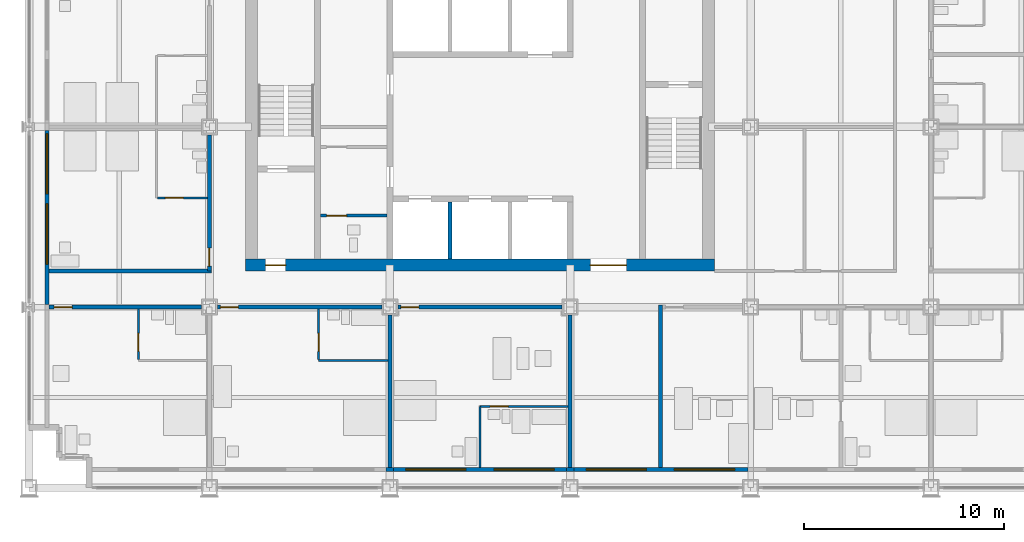
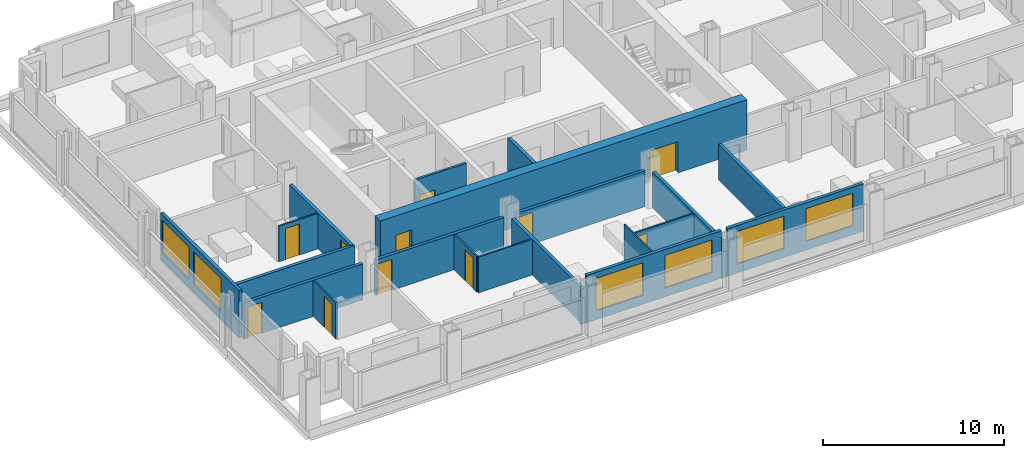
# One storey, part 10 of 18: 22 walls, 11 doors, 6 windows, 17 openings.
"""IFC4 building model written with IfcOpenShell, lengths in metres."""

from ifc_helpers import new_model, si_unit, direction, frame, frame_2d, origin, place, context, subcontext, project, spatial, rectangle, extrude, material, layer, layer_set, type_object, element, fill, save


model = new_model("IFC4")

# Units and contexts
model_context = context("Model", 3, precision=1e-05, world=origin(), true_north=direction((0.0, 1.0)))
body_context = subcontext(model_context, "Body", "Model", "MODEL_VIEW")
ifc_project = project(units=[si_unit("LENGTHUNIT", "METRE"), si_unit("AREAUNIT", "SQUARE_METRE"), si_unit("VOLUMEUNIT", "CUBIC_METRE"), si_unit("PLANEANGLEUNIT", "RADIAN"), si_unit("MASSUNIT", "GRAM", prefix="KILO")], contexts=[model_context])

# Site, building, storey
site_placement = place(None, origin())
site = spatial("IfcSite", under=ifc_project, at=site_placement, CompositionType="ELEMENT")
building_placement = place(site_placement, origin())
building = spatial("IfcBuilding", under=site, at=building_placement, Name="Loomwork Tower", CompositionType="ELEMENT")
storey_placement = place(building_placement, frame((0.0, 0.0, 75.60009765625)))
storey = spatial("IfcBuildingStorey", under=building, at=storey_placement, Name="L19", CompositionType="ELEMENT", Elevation=75.60009765625)

# Wall, openings, doors
ifc_material_1 = material(Name="Concrete 14000 psi (97 MPa)", Category="concrete")
ifc_layer_1 = layer(ifc_material_1, 0.60009765625)
ifc_layer_set_1 = layer_set([ifc_layer_1], Name="Core shear wall 600")
wall_type_1 = type_object("IfcWallType", Name="Core shear wall 600", PredefinedType="SHEAR", material=ifc_layer_set_1)
wall_1_placement = place(storey_placement, frame((10.800048828125, 11.10009765625, 0.0), z_axis=(0.0, 0.0, 1.0), x_axis=(1.0, 0.0, 0.0)))
wall_1 = element("IfcWall", 1, at=wall_1_placement, inside=storey, type_object=wall_type_1, Name="Core wall south L19", PredefinedType="SHEAR", context=body_context, shape_type="SweptSolid", body=[
    extrude(rectangle(XDim=23.39990234375, YDim=0.60009765625, at=frame_2d((11.699951171875, 0.0))), origin(), (0.0, 0.0, 1.0), 3.39990234375),
])
opening_1_placement = place(wall_1_placement, frame((1.0, 0.0, 0.0)))
opening_1 = element("IfcOpeningElement", 2, at=opening_1_placement, cuts=wall_1, Name="Opening D4", PredefinedType="OPENING", context=body_context, shape_type="SweptSolid", body=[
    extrude(rectangle(XDim=1.0, YDim=2.10009765625, at=frame_2d((0.5, 1.050048828125))), frame((0.0, 0.31005859375, 0.0), z_axis=(0.0, -1.0, 0.0), x_axis=(1.0, 0.0, 0.0)), (0.0, 0.0, 1.0), 0.6201171875),
])
opening_2_placement = place(wall_1_placement, frame((17.199951171875, 0.0, 0.0)))
opening_2 = element("IfcOpeningElement", 3, at=opening_2_placement, cuts=wall_1, Name="Opening D6", PredefinedType="OPENING", context=body_context, shape_type="SweptSolid", body=[
    extrude(rectangle(XDim=1.800048828125, YDim=2.10009765625, at=frame_2d((0.89990234375, 1.050048828125))), frame((0.0, 0.31005859375, 0.0), z_axis=(0.0, -1.0, 0.0), x_axis=(1.0, 0.0, 0.0)), (0.0, 0.0, 1.0), 0.6201171875),
])
ifc_material_2 = material(Name="Hollow metal door and frame")
door_type_1 = type_object("IfcDoorType", Name="Lobby passage double door 1800", OperationType="DOUBLE_DOOR_SINGLE_SWING", PredefinedType="DOOR", material=ifc_material_2)
door_1_placement = place(opening_2_placement, origin())
door_1 = element("IfcDoor", 4, at=door_1_placement, inside=storey, type_object=door_type_1, Name="Lobby passage door south", OperationType="DOUBLE_DOOR_SINGLE_SWING", OverallHeight=2.10009765625, OverallWidth=1.800048828125, PredefinedType="DOOR", context=body_context, shape_type="SweptSolid", body=[
    extrude(rectangle(XDim=1.800048828125, YDim=2.10009765625, at=frame_2d((0.89990234375, 1.050048828125))), frame((0.0, 0.02490234375, 0.0), z_axis=(0.0, -1.0, 0.0), x_axis=(1.0, 0.0, 0.0)), (0.0, 0.0, 1.0), 0.050048828125),
])
fill(opening_2, door_1)
ifc_material_3 = material(Name="Hollow metal door and frame")
door_type_2 = type_object("IfcDoorType", Name="Stair door 1000", OperationType="SINGLE_SWING_RIGHT", PredefinedType="DOOR", material=ifc_material_3)
door_2_placement = place(opening_1_placement, origin())
door_2 = element("IfcDoor", 5, at=door_2_placement, inside=storey, type_object=door_type_2, Name="Stair A vestibule door", OperationType="SINGLE_SWING_LEFT", OverallHeight=2.10009765625, OverallWidth=1.0, PredefinedType="DOOR", context=body_context, shape_type="SweptSolid", body=[
    extrude(rectangle(XDim=1.0, YDim=2.10009765625, at=frame_2d((0.5, 1.050048828125))), frame((0.0, 0.02490234375, 0.0), z_axis=(0.0, -1.0, 0.0), x_axis=(1.0, 0.0, 0.0)), (0.0, 0.0, 1.0), 0.050048828125),
])
fill(opening_1, door_2)

# Wall, opening, door
ifc_material_4 = material(Name="Gypsum board on steel studs, one-hour", Category="steel")
ifc_layer_2 = layer(ifc_material_4, 0.199951171875)
ifc_layer_set_2 = layer_set([ifc_layer_2], Name="Corridor wall 200")
wall_type_2 = type_object("IfcWallType", Name="Corridor wall 200", PredefinedType="PARTITIONING", material=ifc_layer_set_2)
wall_2_placement = place(storey_placement, frame((1.0, 9.0, 0.0), z_axis=(0.0, 0.0, 1.0), x_axis=(1.0, 0.0, 0.0)))
wall_2 = element("IfcWall", 6, at=wall_2_placement, inside=storey, type_object=wall_type_2, Name="South corridor wall 1", PredefinedType="PARTITIONING", context=body_context, shape_type="SweptSolid", body=[
    extrude(rectangle(XDim=7.60009765625, YDim=0.199951171875, at=frame_2d((3.800048828125, 0.0))), origin(), (0.0, 0.0, 1.0), 2.43798828125),
])
opening_3_placement = place(wall_2_placement, frame((0.25, 0.0, 0.0)))
opening_3 = element("IfcOpeningElement", 7, at=opening_3_placement, cuts=wall_2, Name="Opening D1", PredefinedType="OPENING", context=body_context, shape_type="SweptSolid", body=[
    extrude(rectangle(XDim=0.89990234375, YDim=2.10009765625, at=frame_2d((0.449951171875, 1.050048828125))), frame((0.0, 0.10986328125, 0.0), z_axis=(0.0, -1.0, 0.0), x_axis=(1.0, 0.0, 0.0)), (0.0, 0.0, 1.0), 0.219970703125),
])
ifc_material_5 = material(Name="Hollow metal door and frame")
door_type_3 = type_object("IfcDoorType", Name="Guest room entry door 900", OperationType="SINGLE_SWING_LEFT", PredefinedType="DOOR", material=ifc_material_5)
door_3_placement = place(opening_3_placement, frame((0.89990234375, 0.0, 0.0), z_axis=(0.0, 0.0, 1.0), x_axis=(-1.0, 0.0, 0.0)))
door_3 = element("IfcDoor", 8, at=door_3_placement, inside=storey, type_object=door_type_3, Name="Guest room entry door L19 1", OperationType="SINGLE_SWING_RIGHT", OverallHeight=2.10009765625, OverallWidth=0.89990234375, PredefinedType="DOOR", context=body_context, shape_type="SweptSolid", body=[
    extrude(rectangle(XDim=0.89990234375, YDim=2.10009765625, at=frame_2d((0.449951171875, 1.050048828125))), frame((0.0, 0.02490234375, 0.0), z_axis=(0.0, -1.0, 0.0), x_axis=(1.0, 0.0, 0.0)), (0.0, 0.0, 1.0), 0.050048828125),
])
fill(opening_3, door_3)

wall_3_placement = place(storey_placement, frame((9.39990234375, 9.0, 0.0), z_axis=(0.0, 0.0, 1.0), x_axis=(1.0, 0.0, 0.0)))
wall_3 = element("IfcWall", 9, at=wall_3_placement, inside=storey, type_object=wall_type_2, Name="South corridor wall 2", PredefinedType="PARTITIONING", context=body_context, shape_type="SweptSolid", body=[
    extrude(rectangle(XDim=8.2001953125, YDim=0.199951171875, at=frame_2d((4.10009765625, 0.0))), origin(), (0.0, 0.0, 1.0), 2.40478515625),
])
opening_4_placement = place(wall_3_placement, frame((0.14990234375, 0.0, 0.0)))
opening_4 = element("IfcOpeningElement", 10, at=opening_4_placement, cuts=wall_3, Name="Opening D1", PredefinedType="OPENING", context=body_context, shape_type="SweptSolid", body=[
    extrude(rectangle(XDim=0.89990234375, YDim=2.10009765625, at=frame_2d((0.449951171875, 1.050048828125))), frame((0.0, 0.10986328125, 0.0), z_axis=(0.0, -1.0, 0.0), x_axis=(1.0, 0.0, 0.0)), (0.0, 0.0, 1.0), 0.219970703125),
])
door_4_placement = place(opening_4_placement, frame((0.89990234375, 0.0, 0.0), z_axis=(0.0, 0.0, 1.0), x_axis=(-1.0, 0.0, 0.0)))
door_4 = element("IfcDoor", 11, at=door_4_placement, inside=storey, type_object=door_type_3, Name="Guest room entry door L19 2", OperationType="SINGLE_SWING_RIGHT", OverallHeight=2.10009765625, OverallWidth=0.89990234375, PredefinedType="DOOR", context=body_context, shape_type="SweptSolid", body=[
    extrude(rectangle(XDim=0.89990234375, YDim=2.10009765625, at=frame_2d((0.449951171875, 1.050048828125))), frame((0.0, 0.02490234375, 0.0), z_axis=(0.0, -1.0, 0.0), x_axis=(1.0, 0.0, 0.0)), (0.0, 0.0, 1.0), 0.050048828125),
])
fill(opening_4, door_4)

wall_4_placement = place(storey_placement, frame((18.39990234375, 9.0, 0.0), z_axis=(0.0, 0.0, 1.0), x_axis=(1.0, 0.0, 0.0)))
wall_4 = element("IfcWall", 12, at=wall_4_placement, inside=storey, type_object=wall_type_2, Name="South corridor wall 3", PredefinedType="PARTITIONING", context=body_context, shape_type="SweptSolid", body=[
    extrude(rectangle(XDim=8.2001953125, YDim=0.199951171875, at=frame_2d((4.10009765625, 0.0))), origin(), (0.0, 0.0, 1.0), 2.40478515625),
])
opening_5_placement = place(wall_4_placement, frame((0.14990234375, 0.0, 0.0)))
opening_5 = element("IfcOpeningElement", 13, at=opening_5_placement, cuts=wall_4, Name="Opening D1", PredefinedType="OPENING", context=body_context, shape_type="SweptSolid", body=[
    extrude(rectangle(XDim=0.89990234375, YDim=2.10009765625, at=frame_2d((0.449951171875, 1.050048828125))), frame((0.0, 0.10986328125, 0.0), z_axis=(0.0, -1.0, 0.0), x_axis=(1.0, 0.0, 0.0)), (0.0, 0.0, 1.0), 0.219970703125),
])
door_5_placement = place(opening_5_placement, frame((0.89990234375, 0.0, 0.0), z_axis=(0.0, 0.0, 1.0), x_axis=(-1.0, 0.0, 0.0)))
door_5 = element("IfcDoor", 14, at=door_5_placement, inside=storey, type_object=door_type_3, Name="Guest room entry door L19 3", OperationType="SINGLE_SWING_RIGHT", OverallHeight=2.10009765625, OverallWidth=0.89990234375, PredefinedType="DOOR", context=body_context, shape_type="SweptSolid", body=[
    extrude(rectangle(XDim=0.89990234375, YDim=2.10009765625, at=frame_2d((0.449951171875, 1.050048828125))), frame((0.0, 0.02490234375, 0.0), z_axis=(0.0, -1.0, 0.0), x_axis=(1.0, 0.0, 0.0)), (0.0, 0.0, 1.0), 0.050048828125),
])
fill(opening_5, door_5)

wall_5_placement = place(storey_placement, frame((9.0, 10.800048828125, 0.0), z_axis=(0.0, 0.0, 1.0), x_axis=(0.0, 1.0, 0.0)))
wall_5 = element("IfcWall", 15, at=wall_5_placement, inside=storey, type_object=wall_type_2, Name="West corridor wall 1", PredefinedType="PARTITIONING", context=body_context, shape_type="SweptSolid", body=[
    extrude(rectangle(XDim=6.800048828125, YDim=0.199951171875, at=frame_2d((3.39990234375, 0.0))), origin(), (0.0, 0.0, 1.0), 2.40478515625),
])
opening_6_placement = place(wall_5_placement, frame((0.25, 0.0, 0.0)))
opening_6 = element("IfcOpeningElement", 16, at=opening_6_placement, cuts=wall_5, Name="Opening D1", PredefinedType="OPENING", context=body_context, shape_type="SweptSolid", body=[
    extrude(rectangle(XDim=0.89990234375, YDim=2.10009765625, at=frame_2d((0.449951171875, 1.050048828125))), frame((0.0, 0.10986328125, 0.0), z_axis=(0.0, -1.0, 0.0), x_axis=(1.0, 0.0, 0.0)), (0.0, 0.0, 1.0), 0.219970703125),
])
door_6_placement = place(opening_6_placement, origin())
door_6 = element("IfcDoor", 17, at=door_6_placement, inside=storey, type_object=door_type_3, Name="Guest room entry door L19 14", OperationType="SINGLE_SWING_LEFT", OverallHeight=2.10009765625, OverallWidth=0.89990234375, PredefinedType="DOOR", context=body_context, shape_type="SweptSolid", body=[
    extrude(rectangle(XDim=0.89990234375, YDim=2.10009765625, at=frame_2d((0.449951171875, 1.050048828125))), frame((0.0, 0.02490234375, 0.0), z_axis=(0.0, -1.0, 0.0), x_axis=(1.0, 0.0, 0.0)), (0.0, 0.0, 1.0), 0.050048828125),
])
fill(opening_6, door_6)

# Wall
wall_6_placement = place(storey_placement, frame((1.0, 10.800048828125, 0.0), z_axis=(0.0, 0.0, 1.0), x_axis=(1.0, 0.0, 0.0)))
element("IfcWall", 18, at=wall_6_placement, inside=storey, type_object=wall_type_2, Name="West band end wall S", PredefinedType="PARTITIONING", context=body_context, shape_type="SweptSolid", body=[
    extrude(rectangle(XDim=8.10009765625, YDim=0.199951171875, at=frame_2d((4.050048828125, 0.0))), origin(), (0.0, 0.0, 1.0), 2.40380859375),
])

# Wall, opening, door
ifc_material_6 = material(Name="Cement board on steel studs", Category="steel")
ifc_layer_3 = layer(ifc_material_6, 0.10009765625)
ifc_layer_set_3 = layer_set([ifc_layer_3], Name="En-suite partition 100")
wall_type_3 = type_object("IfcWallType", Name="En-suite partition 100", PredefinedType="PARTITIONING", material=ifc_layer_set_3)
wall_7_placement = place(storey_placement, frame((5.449951171875, 8.89990234375, 0.0), z_axis=(0.0, 0.0, 1.0), x_axis=(0.0, -1.0, 0.0)))
wall_7 = element("IfcWall", 19, at=wall_7_placement, inside=storey, type_object=wall_type_3, Name="En-suite side wall L19 room 1", PredefinedType="PARTITIONING", context=body_context, shape_type="SweptSolid", body=[
    extrude(rectangle(XDim=2.5, YDim=0.10009765625, at=frame_2d((1.25, 0.0))), origin(), (0.0, 0.0, 1.0), 2.43798828125),
])
opening_7_placement = place(wall_7_placement, frame((1.199951171875, 0.0, 0.0)))
opening_7 = element("IfcOpeningElement", 20, at=opening_7_placement, cuts=wall_7, Name="Opening D3", PredefinedType="OPENING", context=body_context, shape_type="SweptSolid", body=[
    extrude(rectangle(XDim=0.89990234375, YDim=2.10009765625, at=frame_2d((0.449951171875, 1.050048828125))), frame((0.0, 0.06005859375, 0.0), z_axis=(0.0, -1.0, 0.0), x_axis=(1.0, 0.0, 0.0)), (0.0, 0.0, 1.0), 0.1201171875),
])
ifc_material_7 = material(Name="Hollow metal door and frame")
door_type_4 = type_object("IfcDoorType", Name="Accessible en-suite door 900", OperationType="SLIDING_TO_LEFT", PredefinedType="DOOR", material=ifc_material_7)
door_7_placement = place(opening_7_placement, origin())
door_7 = element("IfcDoor", 21, at=door_7_placement, inside=storey, type_object=door_type_4, Name="Accessible en-suite door room 1", OperationType="SLIDING_TO_LEFT", OverallHeight=2.10009765625, OverallWidth=0.89990234375, PredefinedType="DOOR", context=body_context, shape_type="SweptSolid", body=[
    extrude(rectangle(XDim=0.89990234375, YDim=2.10009765625, at=frame_2d((0.449951171875, 1.050048828125))), frame((0.0, 0.02490234375, 0.0), z_axis=(0.0, -1.0, 0.0), x_axis=(1.0, 0.0, 0.0)), (0.0, 0.0, 1.0), 0.050048828125),
])
fill(opening_7, door_7)

# Wall
wall_8_placement = place(storey_placement, frame((14.449951171875, 6.35009765625, 0.0), z_axis=(0.0, 0.0, 1.0), x_axis=(1.0, 0.0, 0.0)))
element("IfcWall", 22, at=wall_8_placement, inside=storey, type_object=wall_type_3, Name="En-suite wall L19 room 2", PredefinedType="PARTITIONING", context=body_context, shape_type="SweptSolid", body=[
    extrude(rectangle(XDim=3.449951171875, YDim=0.10009765625, at=frame_2d((1.72509765625, 0.0))), origin(), (0.0, 0.0, 1.0), 2.40380859375),
])

# Wall, opening, door
wall_9_placement = place(storey_placement, frame((14.449951171875, 8.89990234375, 0.0), z_axis=(0.0, 0.0, 1.0), x_axis=(0.0, -1.0, 0.0)))
wall_9 = element("IfcWall", 23, at=wall_9_placement, inside=storey, type_object=wall_type_3, Name="En-suite side wall L19 room 2", PredefinedType="PARTITIONING", context=body_context, shape_type="SweptSolid", body=[
    extrude(rectangle(XDim=2.5, YDim=0.10009765625, at=frame_2d((1.25, 0.0))), origin(), (0.0, 0.0, 1.0), 2.40380859375),
])
opening_8_placement = place(wall_9_placement, frame((1.199951171875, 0.0, 0.0)))
opening_8 = element("IfcOpeningElement", 24, at=opening_8_placement, cuts=wall_9, Name="Opening D2", PredefinedType="OPENING", context=body_context, shape_type="SweptSolid", body=[
    extrude(rectangle(XDim=0.89990234375, YDim=2.10009765625, at=frame_2d((0.449951171875, 1.050048828125))), frame((0.0, 0.06005859375, 0.0), z_axis=(0.0, -1.0, 0.0), x_axis=(1.0, 0.0, 0.0)), (0.0, 0.0, 1.0), 0.1201171875),
])
ifc_material_8 = material(Name="Hollow metal door and frame")
door_type_5 = type_object("IfcDoorType", Name="En-suite door 900", OperationType="SINGLE_SWING_LEFT", PredefinedType="DOOR", material=ifc_material_8)
door_8_placement = place(opening_8_placement, origin())
door_8 = element("IfcDoor", 25, at=door_8_placement, inside=storey, type_object=door_type_5, Name="En-suite door room 2", OperationType="SINGLE_SWING_RIGHT", OverallHeight=2.10009765625, OverallWidth=0.89990234375, PredefinedType="DOOR", context=body_context, shape_type="SweptSolid", body=[
    extrude(rectangle(XDim=0.89990234375, YDim=2.10009765625, at=frame_2d((0.449951171875, 1.050048828125))), frame((0.0, 0.02490234375, 0.0), z_axis=(0.0, -1.0, 0.0), x_axis=(1.0, 0.0, 0.0)), (0.0, 0.0, 1.0), 0.050048828125),
])
fill(opening_8, door_8)

wall_10_placement = place(storey_placement, frame((22.5, 4.050048828125, 0.0), z_axis=(0.0, 0.0, 1.0), x_axis=(1.0, 0.0, 0.0)))
wall_10 = element("IfcWall", 26, at=wall_10_placement, inside=storey, type_object=wall_type_3, Name="Spa bathroom wall L19 room 3", PredefinedType="PARTITIONING", context=body_context, shape_type="SweptSolid", body=[
    extrude(rectangle(XDim=4.39990234375, YDim=0.10009765625, at=frame_2d((2.199951171875, 0.0))), origin(), (0.0, 0.0, 1.0), 2.40380859375),
])
opening_9_placement = place(wall_10_placement, frame((0.5, 0.0, 0.0)))
opening_9 = element("IfcOpeningElement", 27, at=opening_9_placement, cuts=wall_10, Name="Opening D2", PredefinedType="OPENING", context=body_context, shape_type="SweptSolid", body=[
    extrude(rectangle(XDim=0.89990234375, YDim=2.10009765625, at=frame_2d((0.449951171875, 1.050048828125))), frame((0.0, 0.06005859375, 0.0), z_axis=(0.0, -1.0, 0.0), x_axis=(1.0, 0.0, 0.0)), (0.0, 0.0, 1.0), 0.1201171875),
])
door_9_placement = place(opening_9_placement, frame((0.89990234375, 0.0, 0.0), z_axis=(0.0, 0.0, 1.0), x_axis=(-1.0, 0.0, 0.0)))
door_9 = element("IfcDoor", 28, at=door_9_placement, inside=storey, type_object=door_type_5, Name="Spa bathroom door room 3", OperationType="SINGLE_SWING_RIGHT", OverallHeight=2.10009765625, OverallWidth=0.89990234375, PredefinedType="DOOR", context=body_context, shape_type="SweptSolid", body=[
    extrude(rectangle(XDim=0.89990234375, YDim=2.10009765625, at=frame_2d((0.449951171875, 1.050048828125))), frame((0.0, 0.02490234375, 0.0), z_axis=(0.0, -1.0, 0.0), x_axis=(1.0, 0.0, 0.0)), (0.0, 0.0, 1.0), 0.050048828125),
])
fill(opening_9, door_9)

# Wall
wall_11_placement = place(storey_placement, frame((22.5, 4.050048828125, 0.0), z_axis=(0.0, 0.0, 1.0), x_axis=(0.0, -1.0, 0.0)))
element("IfcWall", 29, at=wall_11_placement, inside=storey, type_object=wall_type_3, Name="Spa bathroom side wall L19 room 3", PredefinedType="PARTITIONING", context=body_context, shape_type="SweptSolid", body=[
    extrude(rectangle(XDim=3.050048828125, YDim=0.10009765625, at=frame_2d((1.52490234375, 0.0))), origin(), (0.0, 0.0, 1.0), 3.199951171875),
])

# Wall, opening, door
wall_12_placement = place(storey_placement, frame((8.89990234375, 14.449951171875, 0.0), z_axis=(0.0, 0.0, 1.0), x_axis=(-1.0, 0.0, 0.0)))
wall_12 = element("IfcWall", 30, at=wall_12_placement, inside=storey, type_object=wall_type_3, Name="En-suite side wall L19 room 14", PredefinedType="PARTITIONING", context=body_context, shape_type="SweptSolid", body=[
    extrude(rectangle(XDim=2.5, YDim=0.10009765625, at=frame_2d((1.25, 0.0))), origin(), (0.0, 0.0, 1.0), 2.40380859375),
])
opening_10_placement = place(wall_12_placement, frame((1.199951171875, 0.0, 0.0)))
opening_10 = element("IfcOpeningElement", 31, at=opening_10_placement, cuts=wall_12, Name="Opening D2", PredefinedType="OPENING", context=body_context, shape_type="SweptSolid", body=[
    extrude(rectangle(XDim=0.89990234375, YDim=2.10009765625, at=frame_2d((0.449951171875, 1.050048828125))), frame((0.0, 0.06005859375, 0.0), z_axis=(0.0, -1.0, 0.0), x_axis=(1.0, 0.0, 0.0)), (0.0, 0.0, 1.0), 0.1201171875),
])
door_10_placement = place(opening_10_placement, frame((0.89990234375, 0.0, 0.0), z_axis=(0.0, 0.0, 1.0), x_axis=(-1.0, 0.0, 0.0)))
door_10 = element("IfcDoor", 32, at=door_10_placement, inside=storey, type_object=door_type_5, Name="En-suite door room 14", OperationType="SINGLE_SWING_LEFT", OverallHeight=2.10009765625, OverallWidth=0.89990234375, PredefinedType="DOOR", context=body_context, shape_type="SweptSolid", body=[
    extrude(rectangle(XDim=0.89990234375, YDim=2.10009765625, at=frame_2d((0.449951171875, 1.050048828125))), frame((0.0, 0.02490234375, 0.0), z_axis=(0.0, -1.0, 0.0), x_axis=(1.0, 0.0, 0.0)), (0.0, 0.0, 1.0), 0.050048828125),
])
fill(opening_10, door_10)

# Walls
ifc_material_9 = material(Name="Gypsum board on steel studs, acoustic", Category="steel")
ifc_layer_4 = layer(ifc_material_9, 0.199951171875)
ifc_layer_set_4 = layer_set([ifc_layer_4], Name="Guest room party wall 200")
wall_type_4 = type_object("IfcWallType", Name="Guest room party wall 200", PredefinedType="PARTITIONING", material=ifc_layer_set_4)
for number, where, z_axis, x_axis, name in (
    (33, (18.0, 8.60009765625, 0.0), (0.0, 0.0, 1.0), (0.0, -1.0, 0.0), "Guest room party wall S 18"),
    (34, (27.0, 8.60009765625, 0.0), (0.0, 0.0, 1.0), (0.0, -1.0, 0.0), "Guest room party wall S 27"),
):
    element("IfcWall", number, at=place(storey_placement, frame(where, z_axis=z_axis, x_axis=x_axis)), inside=storey, type_object=wall_type_4, Name=name, PredefinedType="PARTITIONING", context=body_context, shape_type="SweptSolid", body=[
        extrude(rectangle(XDim=7.60009765625, YDim=0.199951171875, at=frame_2d((3.800048828125, 0.0))), origin(), (0.0, 0.0, 1.0), 2.40478515625),
    ])
wall_13_placement = place(storey_placement, frame((31.5, 9.10009765625, 0.0), z_axis=(0.0, 0.0, 1.0), x_axis=(0.0, -1.0, 0.0)))
element("IfcWall", 35, at=wall_13_placement, inside=storey, type_object=wall_type_4, Name="Guest room party wall S 31.5", PredefinedType="PARTITIONING", context=body_context, shape_type="SweptSolid", body=[
    extrude(rectangle(XDim=8.10009765625, YDim=0.199951171875, at=frame_2d((4.050048828125, 0.0))), origin(), (0.0, 0.0, 1.0), 2.40380859375),
])
ifc_material_10 = material(Name="Insulated steel stud wall with gypsum lining", Category="steel")
ifc_layer_5 = layer(ifc_material_10, 0.199951171875)
ifc_layer_set_5 = layer_set([ifc_layer_5], Name="Inner skin wall 200")
wall_type_5 = type_object("IfcWallType", Name="Inner skin wall 200", PredefinedType="SOLIDWALL", material=ifc_layer_set_5)
wall_14_placement = place(storey_placement, frame((17.80615234375, 0.89990234375, 0.0), z_axis=(0.0, 0.0, 1.0), x_axis=(1.0, 0.0, 0.0)))
element("IfcWall", 36, at=wall_14_placement, inside=storey, type_object=wall_type_5, Name="Inner skin wall S bay 4", PredefinedType="SOLIDWALL", context=body_context, shape_type="SweptSolid", body=[
    extrude(rectangle(XDim=0.3876953125, YDim=0.199951171875, at=frame_2d((0.19384765625, 0.0))), origin(), (0.0, 0.0, 1.0), 2.40380859375),
])

# Wall, openings, windows
wall_15_placement = place(storey_placement, frame((18.19384765625, 0.89990234375, 0.0), z_axis=(0.0, 0.0, 1.0), x_axis=(1.0, 0.0, 0.0)))
wall_15 = element("IfcWall", 37, at=wall_15_placement, inside=storey, type_object=wall_type_5, Name="Inner skin wall S bay 5", PredefinedType="SOLIDWALL", context=body_context, shape_type="SweptSolid", body=[
    extrude(rectangle(XDim=8.6123046875, YDim=0.199951171875, at=frame_2d((4.30615234375, 0.0))), origin(), (0.0, 0.0, 1.0), 3.199951171875),
])
opening_11_placement = place(wall_15_placement, frame((0.606201171875, 0.0, 0.60009765625)))
opening_11 = element("IfcOpeningElement", 38, at=opening_11_placement, cuts=wall_15, Name="Opening CH1", PredefinedType="OPENING", context=body_context, shape_type="SweptSolid", body=[
    extrude(rectangle(XDim=3.0, YDim=2.199951171875, at=frame_2d((1.5, 1.10009765625))), frame((0.0, 0.10986328125, 0.0), z_axis=(0.0, -1.0, 0.0), x_axis=(1.0, 0.0, 0.0)), (0.0, 0.0, 1.0), 0.219970703125),
])
opening_12_placement = place(wall_15_placement, frame((5.006103515625, 0.0, 0.60009765625)))
opening_12 = element("IfcOpeningElement", 39, at=opening_12_placement, cuts=wall_15, Name="Opening CH1", PredefinedType="OPENING", context=body_context, shape_type="SweptSolid", body=[
    extrude(rectangle(XDim=3.0, YDim=2.199951171875, at=frame_2d((1.5, 1.10009765625))), frame((0.0, 0.10986328125, 0.0), z_axis=(0.0, -1.0, 0.0), x_axis=(1.0, 0.0, 0.0)), (0.0, 0.0, 1.0), 0.219970703125),
])
ifc_material_11 = material(Name="Aluminium frame with clear insulated glass", Category="aluminium")
window_type = type_object("IfcWindowType", Name="Chicago window 3000", PartitioningType="TRIPLE_PANEL_VERTICAL", PredefinedType="WINDOW", material=ifc_material_11)
window_1_placement = place(opening_11_placement, origin())
window_1 = element("IfcWindow", 40, at=window_1_placement, inside=storey, type_object=window_type, Name="Chicago window L19 bay 3", OverallHeight=2.199951171875, OverallWidth=3.0, PartitioningType="TRIPLE_PANEL_VERTICAL", PredefinedType="WINDOW", context=body_context, shape_type="SweptSolid", body=[
    extrude(rectangle(XDim=3.0, YDim=2.199951171875, at=frame_2d((1.5, 1.10009765625))), frame((0.0, 0.030029296875, 0.0), z_axis=(0.0, -1.0, 0.0), x_axis=(1.0, 0.0, 0.0)), (0.0, 0.0, 1.0), 0.06005859375),
])
fill(opening_11, window_1)
window_2_placement = place(opening_12_placement, origin())
window_2 = element("IfcWindow", 41, at=window_2_placement, inside=storey, type_object=window_type, Name="Chicago window L19 bay 3", OverallHeight=2.199951171875, OverallWidth=3.0, PartitioningType="TRIPLE_PANEL_VERTICAL", PredefinedType="WINDOW", context=body_context, shape_type="SweptSolid", body=[
    extrude(rectangle(XDim=3.0, YDim=2.199951171875, at=frame_2d((1.5, 1.10009765625))), frame((0.0, 0.030029296875, 0.0), z_axis=(0.0, -1.0, 0.0), x_axis=(1.0, 0.0, 0.0)), (0.0, 0.0, 1.0), 0.06005859375),
])
fill(opening_12, window_2)

# Wall
wall_16_placement = place(storey_placement, frame((26.80615234375, 0.89990234375, 0.0), z_axis=(0.0, 0.0, 1.0), x_axis=(1.0, 0.0, 0.0)))
element("IfcWall", 42, at=wall_16_placement, inside=storey, type_object=wall_type_5, Name="Inner skin wall S bay 6", PredefinedType="SOLIDWALL", context=body_context, shape_type="SweptSolid", body=[
    extrude(rectangle(XDim=0.3876953125, YDim=0.199951171875, at=frame_2d((0.19384765625, 0.0))), origin(), (0.0, 0.0, 1.0), 2.40380859375),
])

# Wall, openings, windows
wall_17_placement = place(storey_placement, frame((27.19384765625, 0.89990234375, 0.0), z_axis=(0.0, 0.0, 1.0), x_axis=(1.0, 0.0, 0.0)))
wall_17 = element("IfcWall", 43, at=wall_17_placement, inside=storey, type_object=wall_type_5, Name="Inner skin wall S bay 7", PredefinedType="SOLIDWALL", context=body_context, shape_type="SweptSolid", body=[
    extrude(rectangle(XDim=8.670654296875, YDim=0.199951171875, at=frame_2d((4.33544921875, 0.0))), origin(), (0.0, 0.0, 1.0), 3.199951171875),
])
opening_13_placement = place(wall_17_placement, frame((0.606201171875, 0.0, 0.60009765625)))
opening_13 = element("IfcOpeningElement", 44, at=opening_13_placement, cuts=wall_17, Name="Opening CH1", PredefinedType="OPENING", context=body_context, shape_type="SweptSolid", body=[
    extrude(rectangle(XDim=3.0, YDim=2.199951171875, at=frame_2d((1.5, 1.10009765625))), frame((0.0, 0.10986328125, 0.0), z_axis=(0.0, -1.0, 0.0), x_axis=(1.0, 0.0, 0.0)), (0.0, 0.0, 1.0), 0.219970703125),
])
opening_14_placement = place(wall_17_placement, frame((5.006103515625, 0.0, 0.60009765625)))
opening_14 = element("IfcOpeningElement", 45, at=opening_14_placement, cuts=wall_17, Name="Opening CH1", PredefinedType="OPENING", context=body_context, shape_type="SweptSolid", body=[
    extrude(rectangle(XDim=3.0, YDim=2.199951171875, at=frame_2d((1.5, 1.10009765625))), frame((0.0, 0.10986328125, 0.0), z_axis=(0.0, -1.0, 0.0), x_axis=(1.0, 0.0, 0.0)), (0.0, 0.0, 1.0), 0.219970703125),
])
window_3_placement = place(opening_13_placement, origin())
window_3 = element("IfcWindow", 46, at=window_3_placement, inside=storey, type_object=window_type, Name="Chicago window L19 bay 4", OverallHeight=2.199951171875, OverallWidth=3.0, PartitioningType="TRIPLE_PANEL_VERTICAL", PredefinedType="WINDOW", context=body_context, shape_type="SweptSolid", body=[
    extrude(rectangle(XDim=3.0, YDim=2.199951171875, at=frame_2d((1.5, 1.10009765625))), frame((0.0, 0.030029296875, 0.0), z_axis=(0.0, -1.0, 0.0), x_axis=(1.0, 0.0, 0.0)), (0.0, 0.0, 1.0), 0.06005859375),
])
fill(opening_13, window_3)
window_4_placement = place(opening_14_placement, origin())
window_4 = element("IfcWindow", 47, at=window_4_placement, inside=storey, type_object=window_type, Name="Chicago window L19 bay 4", OverallHeight=2.199951171875, OverallWidth=3.0, PartitioningType="TRIPLE_PANEL_VERTICAL", PredefinedType="WINDOW", context=body_context, shape_type="SweptSolid", body=[
    extrude(rectangle(XDim=3.0, YDim=2.199951171875, at=frame_2d((1.5, 1.10009765625))), frame((0.0, 0.030029296875, 0.0), z_axis=(0.0, -1.0, 0.0), x_axis=(1.0, 0.0, 0.0)), (0.0, 0.0, 1.0), 0.06005859375),
])
fill(opening_14, window_4)

wall_18_placement = place(storey_placement, frame((0.89990234375, 9.13525390625, 0.0), z_axis=(0.0, 0.0, 1.0), x_axis=(0.0, 1.0, 0.0)))
wall_18 = element("IfcWall", 48, at=wall_18_placement, inside=storey, type_object=wall_type_5, Name="Inner skin wall W bay 5", PredefinedType="SOLIDWALL", context=body_context, shape_type="SweptSolid", body=[
    extrude(rectangle(XDim=8.6708984375, YDim=0.199951171875, at=frame_2d((4.33544921875, 0.0))), origin(), (0.0, 0.0, 1.0), 3.199951171875),
])
opening_15_placement = place(wall_18_placement, frame((2.0146484375, 0.0, 0.60009765625)))
opening_15 = element("IfcOpeningElement", 49, at=opening_15_placement, cuts=wall_18, Name="Opening CH1", PredefinedType="OPENING", context=body_context, shape_type="SweptSolid", body=[
    extrude(rectangle(XDim=3.0, YDim=2.199951171875, at=frame_2d((1.5, 1.10009765625))), frame((0.0, 0.10986328125, 0.0), z_axis=(0.0, -1.0, 0.0), x_axis=(1.0, 0.0, 0.0)), (0.0, 0.0, 1.0), 0.219970703125),
])
opening_16_placement = place(wall_18_placement, frame((5.5146484375, 0.0, 0.60009765625)))
opening_16 = element("IfcOpeningElement", 50, at=opening_16_placement, cuts=wall_18, Name="Opening CH1", PredefinedType="OPENING", context=body_context, shape_type="SweptSolid", body=[
    extrude(rectangle(XDim=3.0, YDim=2.199951171875, at=frame_2d((1.5, 1.10009765625))), frame((0.0, 0.10986328125, 0.0), z_axis=(0.0, -1.0, 0.0), x_axis=(1.0, 0.0, 0.0)), (0.0, 0.0, 1.0), 0.219970703125),
])
window_5_placement = place(opening_15_placement, origin())
window_5 = element("IfcWindow", 51, at=window_5_placement, inside=storey, type_object=window_type, Name="Chicago window L19 bay 13", OverallHeight=2.199951171875, OverallWidth=3.0, PartitioningType="TRIPLE_PANEL_VERTICAL", PredefinedType="WINDOW", context=body_context, shape_type="SweptSolid", body=[
    extrude(rectangle(XDim=3.0, YDim=2.199951171875, at=frame_2d((1.5, 1.10009765625))), frame((0.0, 0.030029296875, 0.0), z_axis=(0.0, -1.0, 0.0), x_axis=(1.0, 0.0, 0.0)), (0.0, 0.0, 1.0), 0.06005859375),
])
fill(opening_15, window_5)
window_6_placement = place(opening_16_placement, origin())
window_6 = element("IfcWindow", 52, at=window_6_placement, inside=storey, type_object=window_type, Name="Chicago window L19 bay 13", OverallHeight=2.199951171875, OverallWidth=3.0, PartitioningType="TRIPLE_PANEL_VERTICAL", PredefinedType="WINDOW", context=body_context, shape_type="SweptSolid", body=[
    extrude(rectangle(XDim=3.0, YDim=2.199951171875, at=frame_2d((1.5, 1.10009765625))), frame((0.0, 0.030029296875, 0.0), z_axis=(0.0, -1.0, 0.0), x_axis=(1.0, 0.0, 0.0)), (0.0, 0.0, 1.0), 0.06005859375),
])
fill(opening_16, window_6)

# Wall
ifc_material_12 = material(Name="Concrete 14000 psi (97 MPa)", Category="concrete")
ifc_layer_6 = layer(ifc_material_12, 0.199951171875)
ifc_layer_set_6 = layer_set([ifc_layer_6], Name="Lift shaft wall 200")
wall_type_6 = type_object("IfcWallType", Name="Lift shaft wall 200", PredefinedType="SHEAR", material=ifc_layer_set_6)
wall_19_placement = place(storey_placement, frame((21.0, 11.39990234375, 0.0), z_axis=(0.0, 0.0, 1.0), x_axis=(0.0, 1.0, 0.0)))
element("IfcWall", 53, at=wall_19_placement, inside=storey, type_object=wall_type_6, Name="Lift shaft separation wall south 1 L19", PredefinedType="SHEAR", context=body_context, shape_type="SweptSolid", body=[
    extrude(rectangle(XDim=2.85009765625, YDim=0.199951171875, at=frame_2d((1.425048828125, 0.0))), origin(), (0.0, 0.0, 1.0), 3.39990234375),
])

# Wall, opening, door
ifc_material_13 = material(Name="Gypsum board on steel studs, one-hour", Category="steel")
ifc_layer_7 = layer(ifc_material_13, 0.14990234375)
ifc_layer_set_7 = layer_set([ifc_layer_7], Name="Service partition 150")
wall_type_7 = type_object("IfcWallType", Name="Service partition 150", PredefinedType="PARTITIONING", material=ifc_layer_set_7)
wall_20_placement = place(storey_placement, frame((14.550048828125, 13.574951171875, 0.0), z_axis=(0.0, 0.0, 1.0), x_axis=(1.0, 0.0, 0.0)))
wall_20 = element("IfcWall", 54, at=wall_20_placement, inside=storey, type_object=wall_type_7, Name="Back-of-house partition L19", PredefinedType="PARTITIONING", context=body_context, shape_type="SweptSolid", body=[
    extrude(rectangle(XDim=3.300048828125, YDim=0.14990234375, at=frame_2d((1.64990234375, 0.0))), origin(), (0.0, 0.0, 1.0), 3.199951171875),
])
opening_17_placement = place(wall_20_placement, frame((0.300048828125, 0.0, 0.0)))
opening_17 = element("IfcOpeningElement", 55, at=opening_17_placement, cuts=wall_20, Name="Opening D5", PredefinedType="OPENING", context=body_context, shape_type="SweptSolid", body=[
    extrude(rectangle(XDim=1.0, YDim=2.10009765625, at=frame_2d((0.5, 1.050048828125))), frame((0.0, 0.0849609375, 0.0), z_axis=(0.0, -1.0, 0.0), x_axis=(1.0, 0.0, 0.0)), (0.0, 0.0, 1.0), 0.169921875),
])
ifc_material_14 = material(Name="Hollow metal door and frame")
door_type_6 = type_object("IfcDoorType", Name="Service door 1000", OperationType="SINGLE_SWING_LEFT", PredefinedType="DOOR", material=ifc_material_14)
door_11_placement = place(opening_17_placement, frame((1.0, 0.0, 0.0), z_axis=(0.0, 0.0, 1.0), x_axis=(-1.0, 0.0, 0.0)))
door_11 = element("IfcDoor", 56, at=door_11_placement, inside=storey, type_object=door_type_6, Name="Back-of-house room door", OperationType="SINGLE_SWING_RIGHT", OverallHeight=2.10009765625, OverallWidth=1.0, PredefinedType="DOOR", context=body_context, shape_type="SweptSolid", body=[
    extrude(rectangle(XDim=1.0, YDim=2.10009765625, at=frame_2d((0.5, 1.050048828125))), frame((0.0, 0.02490234375, 0.0), z_axis=(0.0, -1.0, 0.0), x_axis=(1.0, 0.0, 0.0)), (0.0, 0.0, 1.0), 0.050048828125),
])
fill(opening_17, door_11)

save(model, "model.ifc")
